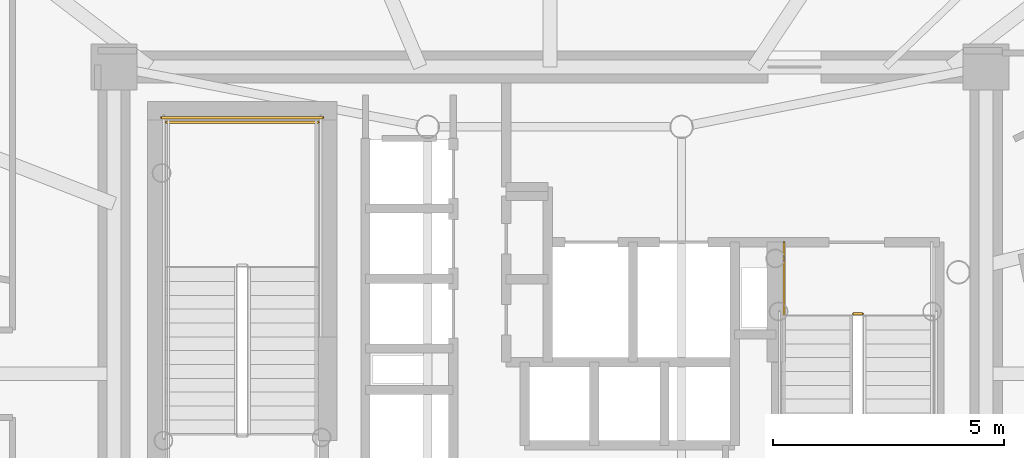
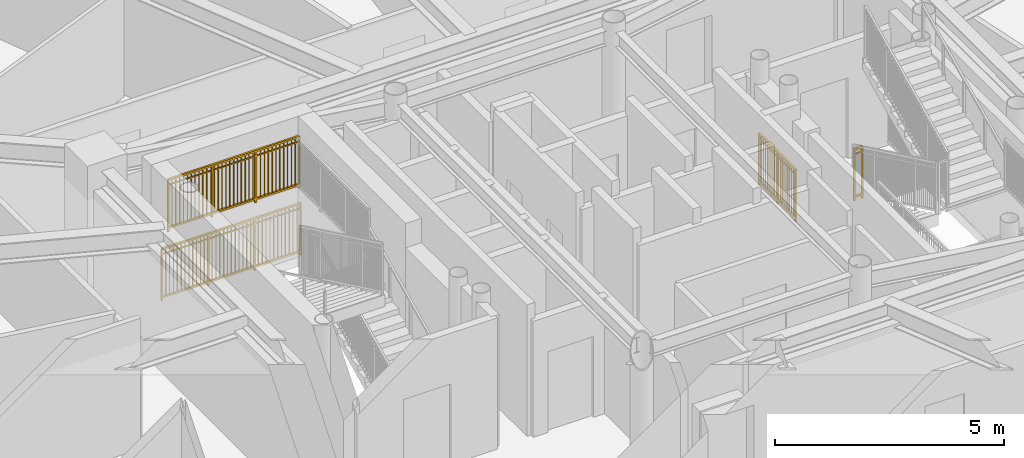
# One storey, part 15 of 18: 4 railings.
"""IFC4 building model written with IfcOpenShell, lengths in metres."""

from ifc_helpers import new_model, si_unit, direction, frame, origin, origin_2d, place, context, subcontext, project, spatial, rectangle, extrude, source, transform, mapped, material, type_object, element, save


model = new_model("IFC4")

# Units and contexts
model_context = context("Model", 3, precision=1e-05, world=origin(), true_north=direction((0.0, 1.0)))
body_context = subcontext(model_context, "Body", "Model", "MODEL_VIEW")
ifc_project = project(units=[si_unit("LENGTHUNIT", "METRE"), si_unit("AREAUNIT", "SQUARE_METRE"), si_unit("VOLUMEUNIT", "CUBIC_METRE"), si_unit("PLANEANGLEUNIT", "RADIAN"), si_unit("MASSUNIT", "GRAM", prefix="KILO")], contexts=[model_context])

# Site, building, storey
site_placement = place(None, origin())
site = spatial("IfcSite", under=ifc_project, at=site_placement, CompositionType="ELEMENT")
building_placement = place(site_placement, origin())
building = spatial("IfcBuilding", under=site, at=building_placement, Name="Linh Dai School and Residence Tower", CompositionType="ELEMENT")
storey_placement = place(building_placement, frame((0.0, 0.0, 225.300048828125)))
storey = spatial("IfcBuildingStorey", under=building, at=storey_placement, Name="L55", CompositionType="ELEMENT", Elevation=225.300048828125)

# Railings
ifc_material = material(Name="Structural Steel S355JR", Category="steel")
railing_type = type_object("IfcRailingType", Name="RL-ST-GUARD-1400", PredefinedType="GUARDRAIL", material=ifc_material)
shared_shape_1 = source(origin(), body_context, "Body", "SweptSolid", [
    extrude(rectangle(XDim=0.048095703125, YDim=0.048095703125, at=origin_2d()), frame((0.0, 0.0, 1.3759765625), z_axis=(-1.0, 0.0, 0.0), x_axis=(0.0, -1.0, 0.0)), (0.0, 0.0, 1.0), 3.300048828125),
    extrude(rectangle(XDim=0.048095703125, YDim=0.048095703125, at=origin_2d()), frame((0.0, 0.0, 0.10009765625), z_axis=(-1.0, 0.0, 0.0), x_axis=(0.0, -1.0, 0.0)), (0.0, 0.0, 1.0), 3.300048828125),
    extrude(rectangle(XDim=0.030029296875, YDim=0.030029296875, at=origin_2d()), frame((0.0, 0.0, 1.239990234375), z_axis=(-1.0, 0.0, 0.0), x_axis=(0.0, -1.0, 0.0)), (0.0, 0.0, 1.0), 3.300048828125),
    extrude(rectangle(XDim=0.02001953125, YDim=0.02001953125, at=origin_2d()), frame((-0.09716796875, 0.0, 0.10009765625)), (0.0, 0.0, 1.0), 1.251708984375),
    extrude(rectangle(XDim=0.02001953125, YDim=0.02001953125, at=origin_2d()), frame((-0.194091796875, 0.0, 0.10009765625)), (0.0, 0.0, 1.0), 1.251708984375),
    extrude(rectangle(XDim=0.02001953125, YDim=0.02001953125, at=origin_2d()), frame((-0.291259765625, 0.0, 0.10009765625)), (0.0, 0.0, 1.0), 1.251708984375),
    extrude(rectangle(XDim=0.02001953125, YDim=0.02001953125, at=origin_2d()), frame((-0.38818359375, 0.0, 0.10009765625)), (0.0, 0.0, 1.0), 1.251708984375),
    extrude(rectangle(XDim=0.02001953125, YDim=0.02001953125, at=origin_2d()), frame((-0.4853515625, 0.0, 0.10009765625)), (0.0, 0.0, 1.0), 1.251708984375),
    extrude(rectangle(XDim=0.02001953125, YDim=0.02001953125, at=origin_2d()), frame((-0.582275390625, 0.0, 0.10009765625)), (0.0, 0.0, 1.0), 1.251708984375),
    extrude(rectangle(XDim=0.02001953125, YDim=0.02001953125, at=origin_2d()), frame((-0.679443359375, 0.0, 0.10009765625)), (0.0, 0.0, 1.0), 1.251708984375),
    extrude(rectangle(XDim=0.02001953125, YDim=0.02001953125, at=origin_2d()), frame((-0.7763671875, 0.0, 0.10009765625)), (0.0, 0.0, 1.0), 1.251708984375),
    extrude(rectangle(XDim=0.02001953125, YDim=0.02001953125, at=origin_2d()), frame((-0.87353515625, 0.0, 0.10009765625)), (0.0, 0.0, 1.0), 1.251708984375),
    extrude(rectangle(XDim=0.02001953125, YDim=0.02001953125, at=origin_2d()), frame((-0.970703125, 0.0, 0.10009765625)), (0.0, 0.0, 1.0), 1.251708984375),
    extrude(rectangle(XDim=0.02001953125, YDim=0.02001953125, at=origin_2d()), frame((-1.164794921875, 0.0, 0.10009765625)), (0.0, 0.0, 1.0), 1.251708984375),
    extrude(rectangle(XDim=0.02001953125, YDim=0.02001953125, at=origin_2d()), frame((-1.26171875, 0.0, 0.10009765625)), (0.0, 0.0, 1.0), 1.251708984375),
    extrude(rectangle(XDim=0.02001953125, YDim=0.02001953125, at=origin_2d()), frame((-1.35888671875, 0.0, 0.10009765625)), (0.0, 0.0, 1.0), 1.251708984375),
    extrude(rectangle(XDim=0.02001953125, YDim=0.02001953125, at=origin_2d()), frame((-1.455810546875, 0.0, 0.10009765625)), (0.0, 0.0, 1.0), 1.251708984375),
    extrude(rectangle(XDim=0.02001953125, YDim=0.02001953125, at=origin_2d()), frame((-1.552978515625, 0.0, 0.10009765625)), (0.0, 0.0, 1.0), 1.251708984375),
    extrude(rectangle(XDim=0.02001953125, YDim=0.02001953125, at=origin_2d()), frame((-1.64990234375, 0.0, 0.10009765625)), (0.0, 0.0, 1.0), 1.251708984375),
    extrude(rectangle(XDim=0.02001953125, YDim=0.02001953125, at=origin_2d()), frame((-1.7470703125, 0.0, 0.10009765625)), (0.0, 0.0, 1.0), 1.251708984375),
    extrude(rectangle(XDim=0.02001953125, YDim=0.02001953125, at=origin_2d()), frame((-1.84423828125, 0.0, 0.10009765625)), (0.0, 0.0, 1.0), 1.251708984375),
    extrude(rectangle(XDim=0.02001953125, YDim=0.02001953125, at=origin_2d()), frame((-1.941162109375, 0.0, 0.10009765625)), (0.0, 0.0, 1.0), 1.251708984375),
    extrude(rectangle(XDim=0.02001953125, YDim=0.02001953125, at=origin_2d()), frame((-2.038330078125, 0.0, 0.10009765625)), (0.0, 0.0, 1.0), 1.251708984375),
    extrude(rectangle(XDim=0.02001953125, YDim=0.02001953125, at=origin_2d()), frame((-2.13525390625, 0.0, 0.10009765625)), (0.0, 0.0, 1.0), 1.251708984375),
    extrude(rectangle(XDim=0.02001953125, YDim=0.02001953125, at=origin_2d()), frame((-2.329345703125, 0.0, 0.10009765625)), (0.0, 0.0, 1.0), 1.251708984375),
    extrude(rectangle(XDim=0.02001953125, YDim=0.02001953125, at=origin_2d()), frame((-2.426513671875, 0.0, 0.10009765625)), (0.0, 0.0, 1.0), 1.251708984375),
    extrude(rectangle(XDim=0.02001953125, YDim=0.02001953125, at=origin_2d()), frame((-2.523681640625, 0.0, 0.10009765625)), (0.0, 0.0, 1.0), 1.251708984375),
    extrude(rectangle(XDim=0.02001953125, YDim=0.02001953125, at=origin_2d()), frame((-2.62060546875, 0.0, 0.10009765625)), (0.0, 0.0, 1.0), 1.251708984375),
    extrude(rectangle(XDim=0.02001953125, YDim=0.02001953125, at=origin_2d()), frame((-2.7177734375, 0.0, 0.10009765625)), (0.0, 0.0, 1.0), 1.251708984375),
    extrude(rectangle(XDim=0.02001953125, YDim=0.02001953125, at=origin_2d()), frame((-2.814697265625, 0.0, 0.10009765625)), (0.0, 0.0, 1.0), 1.251708984375),
    extrude(rectangle(XDim=0.02001953125, YDim=0.02001953125, at=origin_2d()), frame((-2.911865234375, 0.0, 0.10009765625)), (0.0, 0.0, 1.0), 1.251708984375),
    extrude(rectangle(XDim=0.02001953125, YDim=0.02001953125, at=origin_2d()), frame((-3.0087890625, 0.0, 0.10009765625)), (0.0, 0.0, 1.0), 1.251708984375),
    extrude(rectangle(XDim=0.02001953125, YDim=0.02001953125, at=origin_2d()), frame((-3.10595703125, 0.0, 0.10009765625)), (0.0, 0.0, 1.0), 1.251708984375),
    extrude(rectangle(XDim=0.02001953125, YDim=0.02001953125, at=origin_2d()), frame((-3.202880859375, 0.0, 0.10009765625)), (0.0, 0.0, 1.0), 1.251708984375),
    extrude(rectangle(XDim=0.0419921875, YDim=0.0419921875, at=origin_2d()), origin(), (0.0, 0.0, 1.0), 1.3759765625),
    extrude(rectangle(XDim=0.0419921875, YDim=0.0419921875, at=origin_2d()), frame((-1.10009765625, 0.0, 0.0)), (0.0, 0.0, 1.0), 1.3759765625),
    extrude(rectangle(XDim=0.0419921875, YDim=0.0419921875, at=origin_2d()), frame((-2.199951171875, 0.0, 0.0)), (0.0, 0.0, 1.0), 1.3759765625),
    extrude(rectangle(XDim=0.0419921875, YDim=0.0419921875, at=origin_2d()), frame((-3.300048828125, 0.0, 0.0)), (0.0, 0.0, 1.0), 1.3759765625),
])
railing_1_placement = place(storey_placement, frame((30.97998046875, 32.449951171875, 1.875)))
element("IfcRailing", 1, at=railing_1_placement, inside=storey, type_object=railing_type, Name="L55 ST1 stair guard 5", PredefinedType="GUARDRAIL", context=body_context, shape_type="MappedRepresentation", body=[
    mapped(shared_shape_1, transform((0.0, 0.0, 0.0), x_axis=(1.0, 0.0, 0.0), y_axis=(0.0, 1.0, 0.0), z_axis=(0.0, 0.0, 1.0), scale=1.0)),
])
shared_shape_2 = source(origin(), body_context, "Body", "SweptSolid", [
    extrude(rectangle(XDim=0.048095703125, YDim=0.048095703125, at=origin_2d()), frame((0.0, 0.0, 1.3759765625), z_axis=(-1.0, 0.0, 0.0), x_axis=(0.0, -1.0, 0.0)), (0.0, 0.0, 1.0), 3.5),
    extrude(rectangle(XDim=0.048095703125, YDim=0.048095703125, at=origin_2d()), frame((0.0, 0.0, 0.10009765625), z_axis=(-1.0, 0.0, 0.0), x_axis=(0.0, -1.0, 0.0)), (0.0, 0.0, 1.0), 3.5),
    extrude(rectangle(XDim=0.030029296875, YDim=0.030029296875, at=origin_2d()), frame((0.0, 0.0, 1.239990234375), z_axis=(-1.0, 0.0, 0.0), x_axis=(0.0, -1.0, 0.0)), (0.0, 0.0, 1.0), 3.5),
    extrude(rectangle(XDim=0.02001953125, YDim=0.02001953125, at=origin_2d()), frame((-0.09716796875, 0.0, 0.10009765625)), (0.0, 0.0, 1.0), 1.251708984375),
    extrude(rectangle(XDim=0.02001953125, YDim=0.02001953125, at=origin_2d()), frame((-0.1943359375, 0.0, 0.10009765625)), (0.0, 0.0, 1.0), 1.251708984375),
    extrude(rectangle(XDim=0.02001953125, YDim=0.02001953125, at=origin_2d()), frame((-0.291748046875, 0.0, 0.10009765625)), (0.0, 0.0, 1.0), 1.251708984375),
    extrude(rectangle(XDim=0.02001953125, YDim=0.02001953125, at=origin_2d()), frame((-0.388916015625, 0.0, 0.10009765625)), (0.0, 0.0, 1.0), 1.251708984375),
    extrude(rectangle(XDim=0.02001953125, YDim=0.02001953125, at=origin_2d()), frame((-0.486083984375, 0.0, 0.10009765625)), (0.0, 0.0, 1.0), 1.251708984375),
    extrude(rectangle(XDim=0.02001953125, YDim=0.02001953125, at=origin_2d()), frame((-0.583251953125, 0.0, 0.10009765625)), (0.0, 0.0, 1.0), 1.251708984375),
    extrude(rectangle(XDim=0.02001953125, YDim=0.02001953125, at=origin_2d()), frame((-0.6806640625, 0.0, 0.10009765625)), (0.0, 0.0, 1.0), 1.251708984375),
    extrude(rectangle(XDim=0.02001953125, YDim=0.02001953125, at=origin_2d()), frame((-0.77783203125, 0.0, 0.10009765625)), (0.0, 0.0, 1.0), 1.251708984375),
    extrude(rectangle(XDim=0.02001953125, YDim=0.02001953125, at=origin_2d()), frame((-0.875, 0.0, 0.10009765625)), (0.0, 0.0, 1.0), 1.251708984375),
    extrude(rectangle(XDim=0.02001953125, YDim=0.02001953125, at=origin_2d()), frame((-0.97216796875, 0.0, 0.10009765625)), (0.0, 0.0, 1.0), 1.251708984375),
    extrude(rectangle(XDim=0.02001953125, YDim=0.02001953125, at=origin_2d()), frame((-1.0693359375, 0.0, 0.10009765625)), (0.0, 0.0, 1.0), 1.251708984375),
    extrude(rectangle(XDim=0.02001953125, YDim=0.02001953125, at=origin_2d()), frame((-1.263916015625, 0.0, 0.10009765625)), (0.0, 0.0, 1.0), 1.251708984375),
    extrude(rectangle(XDim=0.02001953125, YDim=0.02001953125, at=origin_2d()), frame((-1.361083984375, 0.0, 0.10009765625)), (0.0, 0.0, 1.0), 1.251708984375),
    extrude(rectangle(XDim=0.02001953125, YDim=0.02001953125, at=origin_2d()), frame((-1.458251953125, 0.0, 0.10009765625)), (0.0, 0.0, 1.0), 1.251708984375),
    extrude(rectangle(XDim=0.02001953125, YDim=0.02001953125, at=origin_2d()), frame((-1.5556640625, 0.0, 0.10009765625)), (0.0, 0.0, 1.0), 1.251708984375),
    extrude(rectangle(XDim=0.02001953125, YDim=0.02001953125, at=origin_2d()), frame((-1.65283203125, 0.0, 0.10009765625)), (0.0, 0.0, 1.0), 1.251708984375),
    extrude(rectangle(XDim=0.02001953125, YDim=0.02001953125, at=origin_2d()), frame((-1.75, 0.0, 0.10009765625)), (0.0, 0.0, 1.0), 1.251708984375),
    extrude(rectangle(XDim=0.02001953125, YDim=0.02001953125, at=origin_2d()), frame((-1.84716796875, 0.0, 0.10009765625)), (0.0, 0.0, 1.0), 1.251708984375),
    extrude(rectangle(XDim=0.02001953125, YDim=0.02001953125, at=origin_2d()), frame((-1.9443359375, 0.0, 0.10009765625)), (0.0, 0.0, 1.0), 1.251708984375),
    extrude(rectangle(XDim=0.02001953125, YDim=0.02001953125, at=origin_2d()), frame((-2.041748046875, 0.0, 0.10009765625)), (0.0, 0.0, 1.0), 1.251708984375),
    extrude(rectangle(XDim=0.02001953125, YDim=0.02001953125, at=origin_2d()), frame((-2.138916015625, 0.0, 0.10009765625)), (0.0, 0.0, 1.0), 1.251708984375),
    extrude(rectangle(XDim=0.02001953125, YDim=0.02001953125, at=origin_2d()), frame((-2.236083984375, 0.0, 0.10009765625)), (0.0, 0.0, 1.0), 1.251708984375),
    extrude(rectangle(XDim=0.02001953125, YDim=0.02001953125, at=origin_2d()), frame((-2.4306640625, 0.0, 0.10009765625)), (0.0, 0.0, 1.0), 1.251708984375),
    extrude(rectangle(XDim=0.02001953125, YDim=0.02001953125, at=origin_2d()), frame((-2.52783203125, 0.0, 0.10009765625)), (0.0, 0.0, 1.0), 1.251708984375),
    extrude(rectangle(XDim=0.02001953125, YDim=0.02001953125, at=origin_2d()), frame((-2.625, 0.0, 0.10009765625)), (0.0, 0.0, 1.0), 1.251708984375),
    extrude(rectangle(XDim=0.02001953125, YDim=0.02001953125, at=origin_2d()), frame((-2.72216796875, 0.0, 0.10009765625)), (0.0, 0.0, 1.0), 1.251708984375),
    extrude(rectangle(XDim=0.02001953125, YDim=0.02001953125, at=origin_2d()), frame((-2.8193359375, 0.0, 0.10009765625)), (0.0, 0.0, 1.0), 1.251708984375),
    extrude(rectangle(XDim=0.02001953125, YDim=0.02001953125, at=origin_2d()), frame((-2.916748046875, 0.0, 0.10009765625)), (0.0, 0.0, 1.0), 1.251708984375),
    extrude(rectangle(XDim=0.02001953125, YDim=0.02001953125, at=origin_2d()), frame((-3.013916015625, 0.0, 0.10009765625)), (0.0, 0.0, 1.0), 1.251708984375),
    extrude(rectangle(XDim=0.02001953125, YDim=0.02001953125, at=origin_2d()), frame((-3.111083984375, 0.0, 0.10009765625)), (0.0, 0.0, 1.0), 1.251708984375),
    extrude(rectangle(XDim=0.02001953125, YDim=0.02001953125, at=origin_2d()), frame((-3.208251953125, 0.0, 0.10009765625)), (0.0, 0.0, 1.0), 1.251708984375),
    extrude(rectangle(XDim=0.02001953125, YDim=0.02001953125, at=origin_2d()), frame((-3.3056640625, 0.0, 0.10009765625)), (0.0, 0.0, 1.0), 1.251708984375),
    extrude(rectangle(XDim=0.02001953125, YDim=0.02001953125, at=origin_2d()), frame((-3.40283203125, 0.0, 0.10009765625)), (0.0, 0.0, 1.0), 1.251708984375),
    extrude(rectangle(XDim=0.0419921875, YDim=0.0419921875, at=origin_2d()), origin(), (0.0, 0.0, 1.0), 1.3759765625),
    extrude(rectangle(XDim=0.0419921875, YDim=0.0419921875, at=origin_2d()), frame((-1.166748046875, 0.0, 0.0)), (0.0, 0.0, 1.0), 1.3759765625),
    extrude(rectangle(XDim=0.0419921875, YDim=0.0419921875, at=origin_2d()), frame((-2.333251953125, 0.0, 0.0)), (0.0, 0.0, 1.0), 1.3759765625),
    extrude(rectangle(XDim=0.0419921875, YDim=0.0419921875, at=origin_2d()), frame((-3.5, 0.0, 0.0)), (0.0, 0.0, 1.0), 1.3759765625),
])
railing_2_placement = place(storey_placement, frame((31.080078125, 32.550048828125, 0.0)))
element("IfcRailing", 2, at=railing_2_placement, inside=storey, type_object=railing_type, Name="L55 ST1 stair guard 12", PredefinedType="GUARDRAIL", context=body_context, shape_type="MappedRepresentation", body=[
    mapped(shared_shape_2, transform((0.0, 0.0, 0.0), x_axis=(1.0, 0.0, 0.0), y_axis=(0.0, 1.0, 0.0), z_axis=(0.0, 0.0, 1.0), scale=1.0)),
])
shared_shape_3 = source(origin(), body_context, "Body", "SweptSolid", [
    extrude(rectangle(XDim=0.048095703125, YDim=0.048095703125, at=origin_2d()), frame((0.0, 0.0, 1.3759765625), z_axis=(1.0, 0.0, 0.0), x_axis=(0.0, 1.0, 0.0)), (0.0, 0.0, 1.0), 0.199951171875),
    extrude(rectangle(XDim=0.048095703125, YDim=0.048095703125, at=origin_2d()), frame((0.0, 0.0, 0.10009765625), z_axis=(1.0, 0.0, 0.0), x_axis=(0.0, 1.0, 0.0)), (0.0, 0.0, 1.0), 0.199951171875),
    extrude(rectangle(XDim=0.030029296875, YDim=0.030029296875, at=origin_2d()), frame((0.0, 0.0, 1.239990234375), z_axis=(1.0, 0.0, 0.0), x_axis=(0.0, 1.0, 0.0)), (0.0, 0.0, 1.0), 0.199951171875),
    extrude(rectangle(XDim=0.0419921875, YDim=0.0419921875, at=origin_2d()), origin(), (0.0, 0.0, 1.0), 1.3759765625),
    extrude(rectangle(XDim=0.0419921875, YDim=0.0419921875, at=origin_2d()), frame((0.199951171875, 0.0, 0.0)), (0.0, 0.0, 1.0), 1.3759765625),
])
railing_3_placement = place(storey_placement, frame((42.570068359375, 28.300048828125, 0.0)))
element("IfcRailing", 3, at=railing_3_placement, inside=storey, type_object=railing_type, Name="L55 ST2 stair guard 7", PredefinedType="GUARDRAIL", context=body_context, shape_type="MappedRepresentation", body=[
    mapped(shared_shape_3, transform((0.0, 0.0, 0.0), x_axis=(1.0, 0.0, 0.0), y_axis=(0.0, 1.0, 0.0), z_axis=(0.0, 0.0, 1.0), scale=1.0)),
])
shared_shape_4 = source(origin(), body_context, "Body", "SweptSolid", [
    extrude(rectangle(XDim=0.048095703125, YDim=0.048095703125, at=origin_2d()), frame((0.0, 0.0, 1.3759765625), z_axis=(0.0, -1.0, 0.0), x_axis=(1.0, 0.0, 0.0)), (0.0, 0.0, 1.0), 1.60009765625),
    extrude(rectangle(XDim=0.048095703125, YDim=0.048095703125, at=origin_2d()), frame((0.0, 0.0, 0.10009765625), z_axis=(0.0, -1.0, 0.0), x_axis=(1.0, 0.0, 0.0)), (0.0, 0.0, 1.0), 1.60009765625),
    extrude(rectangle(XDim=0.030029296875, YDim=0.030029296875, at=origin_2d()), frame((0.0, 0.0, 1.239990234375), z_axis=(0.0, -1.0, 0.0), x_axis=(1.0, 0.0, 0.0)), (0.0, 0.0, 1.0), 1.60009765625),
    extrude(rectangle(XDim=0.02001953125, YDim=0.02001953125, at=origin_2d()), frame((0.0, -0.09423828125, 0.10009765625)), (0.0, 0.0, 1.0), 1.251708984375),
    extrude(rectangle(XDim=0.02001953125, YDim=0.02001953125, at=origin_2d()), frame((0.0, -0.188232421875, 0.10009765625)), (0.0, 0.0, 1.0), 1.251708984375),
    extrude(rectangle(XDim=0.02001953125, YDim=0.02001953125, at=origin_2d()), frame((0.0, -0.282470703125, 0.10009765625)), (0.0, 0.0, 1.0), 1.251708984375),
    extrude(rectangle(XDim=0.02001953125, YDim=0.02001953125, at=origin_2d()), frame((0.0, -0.37646484375, 0.10009765625)), (0.0, 0.0, 1.0), 1.251708984375),
    extrude(rectangle(XDim=0.02001953125, YDim=0.02001953125, at=origin_2d()), frame((0.0, -0.470703125, 0.10009765625)), (0.0, 0.0, 1.0), 1.251708984375),
    extrude(rectangle(XDim=0.02001953125, YDim=0.02001953125, at=origin_2d()), frame((0.0, -0.564697265625, 0.10009765625)), (0.0, 0.0, 1.0), 1.251708984375),
    extrude(rectangle(XDim=0.02001953125, YDim=0.02001953125, at=origin_2d()), frame((0.0, -0.658935546875, 0.10009765625)), (0.0, 0.0, 1.0), 1.251708984375),
    extrude(rectangle(XDim=0.02001953125, YDim=0.02001953125, at=origin_2d()), frame((0.0, -0.7529296875, 0.10009765625)), (0.0, 0.0, 1.0), 1.251708984375),
    extrude(rectangle(XDim=0.02001953125, YDim=0.02001953125, at=origin_2d()), frame((0.0, -0.84716796875, 0.10009765625)), (0.0, 0.0, 1.0), 1.251708984375),
    extrude(rectangle(XDim=0.02001953125, YDim=0.02001953125, at=origin_2d()), frame((0.0, -0.941162109375, 0.10009765625)), (0.0, 0.0, 1.0), 1.251708984375),
    extrude(rectangle(XDim=0.02001953125, YDim=0.02001953125, at=origin_2d()), frame((0.0, -1.035400390625, 0.10009765625)), (0.0, 0.0, 1.0), 1.251708984375),
    extrude(rectangle(XDim=0.02001953125, YDim=0.02001953125, at=origin_2d()), frame((0.0, -1.12939453125, 0.10009765625)), (0.0, 0.0, 1.0), 1.251708984375),
    extrude(rectangle(XDim=0.02001953125, YDim=0.02001953125, at=origin_2d()), frame((0.0, -1.2236328125, 0.10009765625)), (0.0, 0.0, 1.0), 1.251708984375),
    extrude(rectangle(XDim=0.02001953125, YDim=0.02001953125, at=origin_2d()), frame((0.0, -1.317626953125, 0.10009765625)), (0.0, 0.0, 1.0), 1.251708984375),
    extrude(rectangle(XDim=0.02001953125, YDim=0.02001953125, at=origin_2d()), frame((0.0, -1.411865234375, 0.10009765625)), (0.0, 0.0, 1.0), 1.251708984375),
    extrude(rectangle(XDim=0.02001953125, YDim=0.02001953125, at=origin_2d()), frame((0.0, -1.505859375, 0.10009765625)), (0.0, 0.0, 1.0), 1.251708984375),
    extrude(rectangle(XDim=0.0419921875, YDim=0.0419921875, at=origin_2d()), origin(), (0.0, 0.0, 1.0), 1.3759765625),
    extrude(rectangle(XDim=0.0419921875, YDim=0.0419921875, at=origin_2d()), frame((0.0, -0.800048828125, 0.0)), (0.0, 0.0, 1.0), 1.3759765625),
    extrude(rectangle(XDim=0.0419921875, YDim=0.0419921875, at=origin_2d()), frame((0.0, -1.60009765625, 0.0)), (0.0, 0.0, 1.0), 1.3759765625),
])
railing_4_placement = place(storey_placement, frame((41.070068359375, 29.85009765625, 0.0)))
element("IfcRailing", 4, at=railing_4_placement, inside=storey, type_object=railing_type, Name="L55 ST2 stair guard 8", PredefinedType="GUARDRAIL", context=body_context, shape_type="MappedRepresentation", body=[
    mapped(shared_shape_4, transform((0.0, 0.0, 0.0), x_axis=(1.0, 0.0, 0.0), y_axis=(0.0, 1.0, 0.0), z_axis=(0.0, 0.0, 1.0), scale=1.0)),
])

save(model, "model.ifc")
